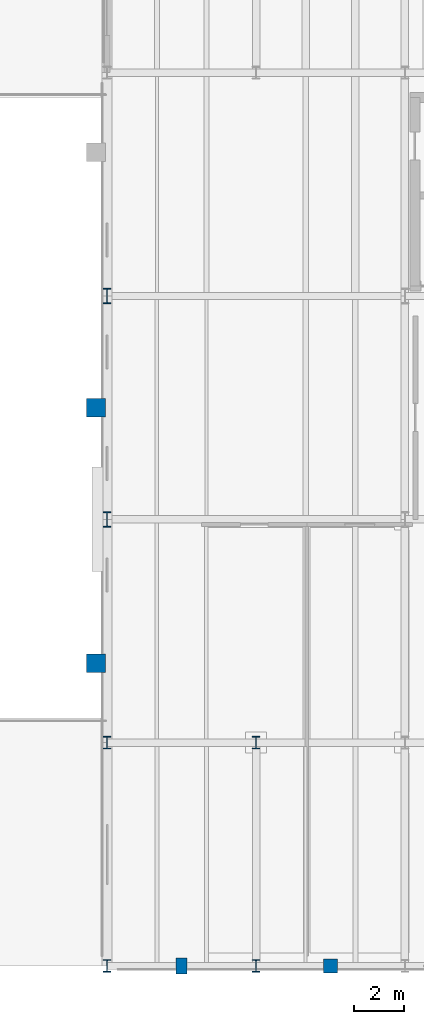
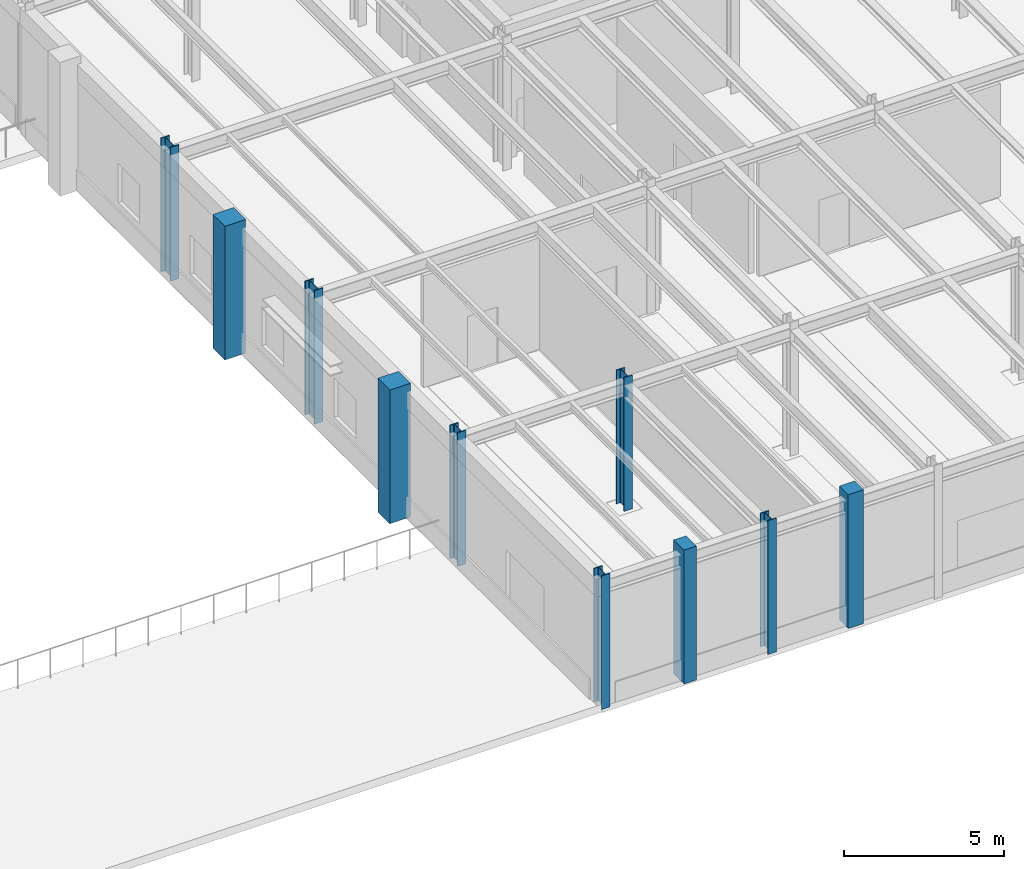
# One storey, part 1 of 64: 10 columns.
"""IFC4 building model written with IfcOpenShell, lengths in metres."""

from ifc_helpers import new_model, si_unit, direction, frame, origin, origin_2d, place, context, subcontext, project, spatial, rectangle, i_section, extrude, material, material_profile, profile_set, type_object, element, save


model = new_model("IFC4")

# Units and contexts
model_context = context("Model", 3, precision=1e-05, world=origin(), true_north=direction((0.0, 1.0)))
body_context = subcontext(model_context, "Body", "Model", "MODEL_VIEW")
ifc_project = project(units=[si_unit("LENGTHUNIT", "METRE"), si_unit("AREAUNIT", "SQUARE_METRE"), si_unit("VOLUMEUNIT", "CUBIC_METRE"), si_unit("PLANEANGLEUNIT", "RADIAN"), si_unit("MASSUNIT", "GRAM", prefix="KILO")], contexts=[model_context])

# Site, building, storey
site_placement = place(None, origin())
site = spatial("IfcSite", under=ifc_project, at=site_placement, CompositionType="ELEMENT")
building_placement = place(site_placement, origin())
building = spatial("IfcBuilding", under=site, at=building_placement, Name="Montealbar Specialist Clinic", CompositionType="ELEMENT")
storey_placement = place(building_placement, origin())
storey = spatial("IfcBuildingStorey", under=building, at=storey_placement, Name="L00", CompositionType="ELEMENT", Elevation=0.0)

# Columns
ifc_material_1 = material(Name="Steel S355", Category="steel")
ifc_material_profile_1 = material_profile(ifc_material_1, i_section(OverallWidth=0.304931640625, OverallDepth=0.6201171875, WebThickness=0.02099609375, FlangeThickness=0.0400390625, FilletRadius=0.027099609375, at=origin_2d()), Name="HEM 600", Category="steel")
ifc_profile_set_1 = profile_set([ifc_material_profile_1], Name="Steel S355")
column_type_1 = type_object("IfcColumnType", Name="COL-S-L00-MEGA-EXT", PredefinedType="COLUMN", material=ifc_profile_set_1)
for number, where, z_axis, x_axis, name in (
    (1, (54.0, 18.0, 0.0), (0.0, 0.0, 1.0), (1.0, 0.0, 0.0), "Column 7/C L00"),
    (2, (54.0, 27.0, 0.0), (0.0, 0.0, 1.0), (1.0, 0.0, 0.0), "Column 7/D L00"),
):
    element("IfcColumn", number, at=place(storey_placement, frame(where, z_axis=z_axis, x_axis=x_axis)), inside=storey, type_object=column_type_1, Name=name, PredefinedType="COLUMN", context=body_context, shape_type="SweptSolid", body=[
        extrude(i_section(OverallWidth=0.304931640625, OverallDepth=0.6201171875, WebThickness=0.02099609375, FlangeThickness=0.0400390625, FilletRadius=0.027099609375, at=origin_2d()), origin(), (0.0, 0.0, 1.0), 5.10009765625),
    ])
ifc_material_profile_2 = material_profile(ifc_material_1, i_section(OverallWidth=0.300048828125, OverallDepth=0.5, WebThickness=0.014404296875, FlangeThickness=0.028076171875, FilletRadius=0.027099609375, at=origin_2d()), Name="HEB 500", Category="steel")
ifc_profile_set_2 = profile_set([ifc_material_profile_2], Name="Steel S355")
column_type_2 = type_object("IfcColumnType", Name="COL-S-L00-STD", PredefinedType="COLUMN", material=ifc_profile_set_2)
column_1_placement = place(storey_placement, frame((60.0, 9.0, 0.0), z_axis=(0.0, 0.0, 1.0), x_axis=(1.0, 0.0, 0.0)))
element("IfcColumn", 3, at=column_1_placement, inside=storey, type_object=column_type_2, Name="Column 8/B L00", PredefinedType="COLUMN", context=body_context, shape_type="SweptSolid", body=[
    extrude(i_section(OverallWidth=0.300048828125, OverallDepth=0.5, WebThickness=0.014404296875, FlangeThickness=0.028076171875, FilletRadius=0.027099609375, at=origin_2d()), origin(), (0.0, 0.0, 1.0), 5.10009765625),
])
ifc_material_profile_3 = material_profile(ifc_material_1, i_section(OverallWidth=0.300048828125, OverallDepth=0.5, WebThickness=0.014404296875, FlangeThickness=0.028076171875, FilletRadius=0.027099609375, at=origin_2d()), Name="HEB 500", Category="steel")
ifc_profile_set_3 = profile_set([ifc_material_profile_3], Name="Steel S355")
column_type_3 = type_object("IfcColumnType", Name="COL-S-L00-STD-EXT", PredefinedType="COLUMN", material=ifc_profile_set_3)
for number, where, z_axis, x_axis, name in (
    (4, (54.0, 0.0, 0.0), (0.0, 0.0, 1.0), (1.0, 0.0, 0.0), "Column 7/A L00"),
    (5, (54.0, 9.0, 0.0), (0.0, 0.0, 1.0), (1.0, 0.0, 0.0), "Column 7/B L00"),
    (6, (60.0, 0.0, 0.0), (0.0, 0.0, 1.0), (1.0, 0.0, 0.0), "Column 8/A L00"),
):
    element("IfcColumn", number, at=place(storey_placement, frame(where, z_axis=z_axis, x_axis=x_axis)), inside=storey, type_object=column_type_3, Name=name, PredefinedType="COLUMN", context=body_context, shape_type="SweptSolid", body=[
        extrude(i_section(OverallWidth=0.300048828125, OverallDepth=0.5, WebThickness=0.014404296875, FlangeThickness=0.028076171875, FilletRadius=0.027099609375, at=origin_2d()), origin(), (0.0, 0.0, 1.0), 5.10009765625),
    ])
ifc_material_2 = material(Name="Guadarrama granite ashlar", Category="masonry")
ifc_material_profile_4 = material_profile(ifc_material_2, rectangle(XDim=0.449951171875, YDim=0.64990234375, at=origin_2d()), Name="GRANITE PILASTER 450x650", Category="masonry")
ifc_profile_set_4 = profile_set([ifc_material_profile_4], Name="Guadarrama granite ashlar")
column_type_4 = type_object("IfcColumnType", Name="PIL-GRANITE-A", PredefinedType="PILASTER", material=ifc_profile_set_4)
column_2_placement = place(storey_placement, frame((57.0, 0.0, 0.0), z_axis=(0.0, 0.0, 1.0), x_axis=(1.0, 0.0, 0.0)))
element("IfcColumn", 7, at=column_2_placement, inside=storey, type_object=column_type_4, Name="Column P1/A L00", PredefinedType="PILASTER", context=body_context, shape_type="SweptSolid", body=[
    extrude(rectangle(XDim=0.449951171875, YDim=0.64990234375, at=origin_2d()), origin(), (0.0, 0.0, 1.0), 5.10009765625),
])
ifc_material_profile_5 = material_profile(ifc_material_2, rectangle(XDim=0.550048828125, YDim=0.550048828125, at=origin_2d()), Name="GRANITE PILASTER 550x550", Category="masonry")
ifc_profile_set_5 = profile_set([ifc_material_profile_5], Name="Guadarrama granite ashlar")
column_type_5 = type_object("IfcColumnType", Name="PIL-GRANITE-B", PredefinedType="PILASTER", material=ifc_profile_set_5)
column_3_placement = place(storey_placement, frame((63.0, 0.0, 0.0), z_axis=(0.0, 0.0, 1.0), x_axis=(1.0, 0.0, 0.0)))
element("IfcColumn", 8, at=column_3_placement, inside=storey, type_object=column_type_5, Name="Column P2/A L00", PredefinedType="PILASTER", context=body_context, shape_type="SweptSolid", body=[
    extrude(rectangle(XDim=0.550048828125, YDim=0.550048828125, at=origin_2d()), origin(), (0.0, 0.0, 1.0), 5.10009765625),
])
ifc_material_profile_6 = material_profile(ifc_material_2, rectangle(XDim=0.75, YDim=0.75, at=origin_2d()), Name="GRANITE PILASTER 750x750", Category="masonry")
ifc_profile_set_6 = profile_set([ifc_material_profile_6], Name="Guadarrama granite ashlar")
column_type_6 = type_object("IfcColumnType", Name="PIL-PM-GIANT-EXT", PredefinedType="PILASTER", material=ifc_profile_set_6)
for number, where, z_axis, x_axis, name in (
    (9, (53.550048828125, 12.199951171875, 0.0), (0.0, 0.0, 1.0), (1.0, 0.0, 0.0), "Column MP1/MC1 L00"),
    (10, (53.550048828125, 22.5, 0.0), (0.0, 0.0, 1.0), (1.0, 0.0, 0.0), "Column MP2/MC2 L00"),
):
    element("IfcColumn", number, at=place(storey_placement, frame(where, z_axis=z_axis, x_axis=x_axis)), inside=storey, type_object=column_type_6, Name=name, PredefinedType="PILASTER", context=body_context, shape_type="SweptSolid", body=[
        extrude(rectangle(XDim=0.75, YDim=0.75, at=origin_2d()), origin(), (0.0, 0.0, 1.0), 5.10009765625),
    ])

save(model, "model.ifc")
